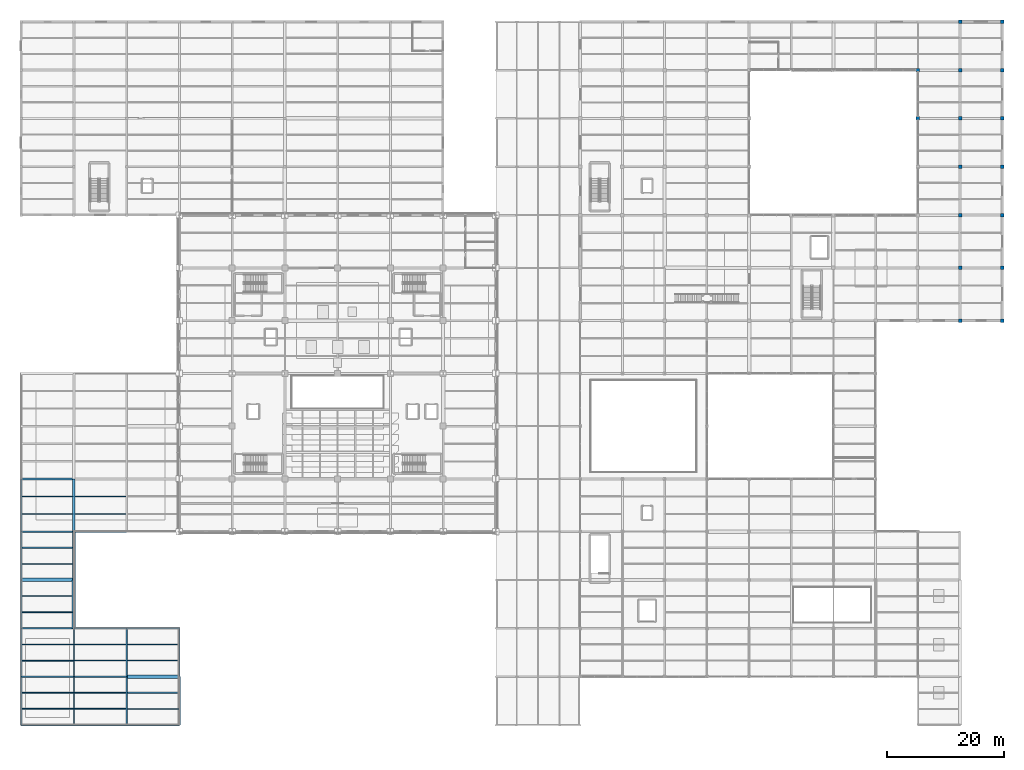
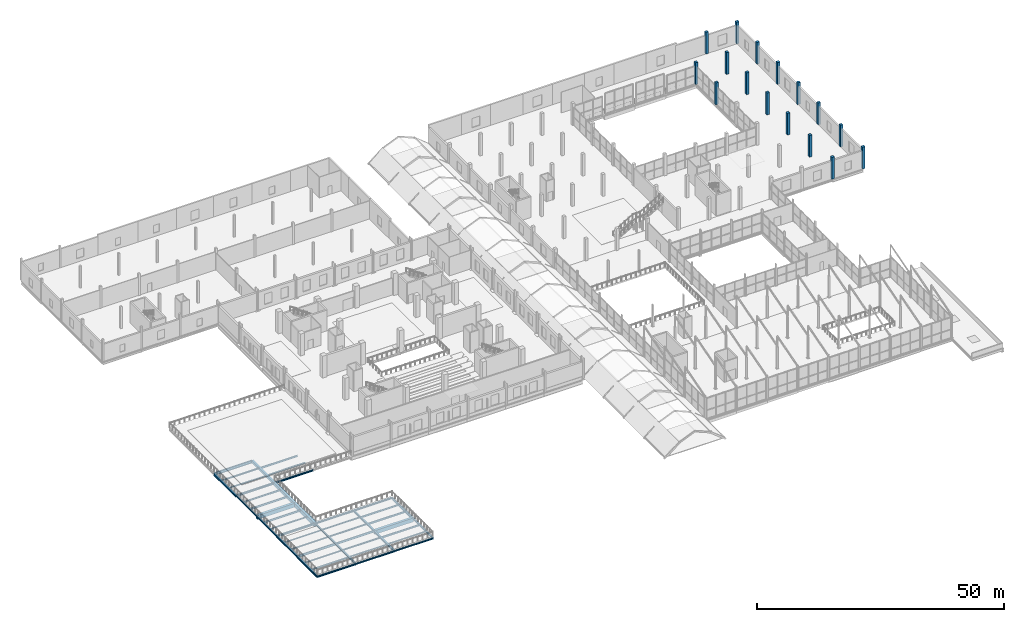
# One storey, part 11 of 141: 47 beams, 16 columns.
"""IFC4 building model written with IfcOpenShell, lengths in metres."""

from ifc_helpers import new_model, si_unit, direction, frame, origin, origin_2d, place, context, subcontext, project, spatial, rectangle, i_section, extrude, material, material_profile, profile_set, type_object, element, save


model = new_model("IFC4")

# Units and contexts
model_context = context("Model", 3, precision=1e-05, world=origin(), true_north=direction((0.0, 1.0)))
body_context = subcontext(model_context, "Body", "Model", "MODEL_VIEW")
ifc_project = project(units=[si_unit("LENGTHUNIT", "METRE"), si_unit("AREAUNIT", "SQUARE_METRE"), si_unit("VOLUMEUNIT", "CUBIC_METRE"), si_unit("PLANEANGLEUNIT", "RADIAN"), si_unit("MASSUNIT", "GRAM", prefix="KILO")], contexts=[model_context])

# Site, building, storey
site_placement = place(None, origin())
site = spatial("IfcSite", under=ifc_project, at=site_placement, CompositionType="ELEMENT")
building_placement = place(site_placement, origin())
building = spatial("IfcBuilding", under=site, at=building_placement, Name="Sundgate Opera House", CompositionType="ELEMENT")
storey_placement = place(building_placement, frame((0.0, 0.0, 11.39990234375)))
storey = spatial("IfcBuildingStorey", under=building, at=storey_placement, Name="L02", CompositionType="ELEMENT", Elevation=11.39990234375)

# Columns
ifc_material_1 = material(Name="Concrete C35/45", Category="concrete")
ifc_material_profile_1 = material_profile(ifc_material_1, rectangle(XDim=0.60009765625, YDim=0.60009765625, at=origin_2d()), Name="RC 600x600")
ifc_profile_set_1 = profile_set([ifc_material_profile_1], Name="Concrete C35/45")
column_type = type_object("IfcColumnType", Name="CL-RC-600", PredefinedType="COLUMN", material=ifc_profile_set_1)
for number, where, z_axis, x_axis, name in (
    (1, (153.0, 103.5, 0.0), (0.0, 0.0, 1.0), (1.0, 0.0, 0.0), "L02 Column C1141"),
    (2, (153.0, 111.75, 0.0), (0.0, 0.0, 1.0), (1.0, 0.0, 0.0), "L02 Column C1145"),
    (3, (160.199951171875, 69.0, 0.0), (0.0, 0.0, 1.0), (1.0, 0.0, 0.0), "L02 Column C1167"),
    (4, (160.199951171875, 78.0, 0.0), (0.0, 0.0, 1.0), (1.0, 0.0, 0.0), "L02 Column C1171"),
    (5, (160.199951171875, 87.0, 0.0), (0.0, 0.0, 1.0), (1.0, 0.0, 0.0), "L02 Column C1175"),
    (6, (160.199951171875, 95.25, 0.0), (0.0, 0.0, 1.0), (1.0, 0.0, 0.0), "L02 Column C1179"),
    (7, (160.199951171875, 103.5, 0.0), (0.0, 0.0, 1.0), (1.0, 0.0, 0.0), "L02 Column C1183"),
    (8, (160.199951171875, 111.75, 0.0), (0.0, 0.0, 1.0), (1.0, 0.0, 0.0), "L02 Column C1187"),
    (9, (160.199951171875, 120.0, 0.0), (0.0, 0.0, 1.0), (1.0, 0.0, 0.0), "L02 Column C1191"),
    (10, (167.39990234375, 69.0, 0.0), (0.0, 0.0, 1.0), (1.0, 0.0, 0.0), "L02 Column C1200"),
    (11, (167.39990234375, 78.0, 0.0), (0.0, 0.0, 1.0), (1.0, 0.0, 0.0), "L02 Column C1204"),
    (12, (167.39990234375, 87.0, 0.0), (0.0, 0.0, 1.0), (1.0, 0.0, 0.0), "L02 Column C1208"),
    (13, (167.39990234375, 95.25, 0.0), (0.0, 0.0, 1.0), (1.0, 0.0, 0.0), "L02 Column C1212"),
    (14, (167.39990234375, 103.5, 0.0), (0.0, 0.0, 1.0), (1.0, 0.0, 0.0), "L02 Column C1216"),
    (15, (167.39990234375, 111.75, 0.0), (0.0, 0.0, 1.0), (1.0, 0.0, 0.0), "L02 Column C1220"),
    (16, (167.39990234375, 120.0, 0.0), (0.0, 0.0, 1.0), (1.0, 0.0, 0.0), "L02 Column C1224"),
):
    element("IfcColumn", number, at=place(storey_placement, frame(where, z_axis=z_axis, x_axis=x_axis)), inside=storey, type_object=column_type, Name=name, PredefinedType="COLUMN", context=body_context, shape_type="SweptSolid", body=[
        extrude(rectangle(XDim=0.60009765625, YDim=0.60009765625, at=origin_2d()), origin(), (0.0, 0.0, 1.0), 5.400146484375),
    ])

# Beams
ifc_material_2 = material(Name="Steel S355J2", Category="steel")
ifc_material_profile_2 = material_profile(ifc_material_2, i_section(OverallWidth=0.300048828125, OverallDepth=0.330078125, WebThickness=0.009521484375, FlangeThickness=0.0166015625, at=origin_2d()), Name="HEA 340")
ifc_profile_set_2 = profile_set([ifc_material_profile_2], Name="Steel S355J2")
beam_type_1 = type_object("IfcBeamType", Name="BM-GR-HEA340", PredefinedType="BEAM", material=ifc_profile_set_2)
beam_1_placement = place(storey_placement, frame((27.0, 0.0, -0.494873046875), z_axis=(0.0, 1.0, 0.0), x_axis=(-1.0, 0.0, 0.0)))
element("IfcBeam", 17, at=beam_1_placement, inside=storey, type_object=beam_type_1, Name="L02 Primary N-S Girder B1811", PredefinedType="BEAM", context=body_context, shape_type="SweptSolid", body=[
    extrude(i_section(OverallWidth=0.300048828125, OverallDepth=0.330078125, WebThickness=0.009521484375, FlangeThickness=0.0166015625, at=origin_2d()), origin(), (0.0, 0.0, 1.0), 8.25),
])
beam_2_placement = place(storey_placement, frame((18.0, 0.0, -0.494873046875), z_axis=(1.0, 0.0, 0.0), x_axis=(0.0, 1.0, 0.0)))
element("IfcBeam", 18, at=beam_2_placement, inside=storey, type_object=beam_type_1, Name="L02 Primary E-W Girder B1958", PredefinedType="BEAM", context=body_context, shape_type="SweptSolid", body=[
    extrude(i_section(OverallWidth=0.300048828125, OverallDepth=0.330078125, WebThickness=0.009521484375, FlangeThickness=0.0166015625, at=origin_2d()), origin(), (0.0, 0.0, 1.0), 9.0),
])
ifc_material_3 = material(Name="Steel S355J2", Category="steel")
ifc_material_profile_3 = material_profile(ifc_material_3, i_section(OverallWidth=0.300048828125, OverallDepth=0.35009765625, WebThickness=0.010009765625, FlangeThickness=0.017578125, at=origin_2d()), Name="HEA 360")
ifc_profile_set_3 = profile_set([ifc_material_profile_3], Name="Steel S355J2")
beam_type_2 = type_object("IfcBeamType", Name="BM-GR-HEA360", PredefinedType="BEAM", material=ifc_profile_set_3)
beam_3_placement = place(storey_placement, frame((9.0, 0.0, -0.5048828125), z_axis=(1.0, 0.0, 0.0), x_axis=(0.0, 1.0, 0.0)))
element("IfcBeam", 19, at=beam_3_placement, inside=storey, type_object=beam_type_2, Name="L02 Primary E-W Girder B1957", PredefinedType="BEAM", context=body_context, shape_type="SweptSolid", body=[
    extrude(i_section(OverallWidth=0.300048828125, OverallDepth=0.35009765625, WebThickness=0.010009765625, FlangeThickness=0.017578125, at=origin_2d()), origin(), (0.0, 0.0, 1.0), 9.0),
])
ifc_material_4 = material(Name="Steel S355J2", Category="steel")
ifc_material_profile_4 = material_profile(ifc_material_4, i_section(OverallWidth=0.300048828125, OverallDepth=0.389892578125, WebThickness=0.010986328125, FlangeThickness=0.01904296875, at=origin_2d()), Name="HEA 400")
ifc_profile_set_4 = profile_set([ifc_material_profile_4], Name="Steel S355J2")
beam_type_3 = type_object("IfcBeamType", Name="BM-GR-HEA400", PredefinedType="BEAM", material=ifc_profile_set_4)
beam_4_placement = place(storey_placement, frame((0.0, 0.0, -0.52490234375), z_axis=(1.0, 0.0, 0.0), x_axis=(0.0, 1.0, 0.0)))
element("IfcBeam", 20, at=beam_4_placement, inside=storey, type_object=beam_type_3, Name="L02 Primary E-W Girder B1956", PredefinedType="BEAM", context=body_context, shape_type="SweptSolid", body=[
    extrude(i_section(OverallWidth=0.300048828125, OverallDepth=0.389892578125, WebThickness=0.010986328125, FlangeThickness=0.01904296875, at=origin_2d()), origin(), (0.0, 0.0, 1.0), 9.0),
])
ifc_material_5 = material(Name="Steel S355J2", Category="steel")
ifc_material_profile_5 = material_profile(ifc_material_5, i_section(OverallWidth=0.300048828125, OverallDepth=0.590087890625, WebThickness=0.012939453125, FlangeThickness=0.02490234375, at=origin_2d()), Name="HEA 600")
ifc_profile_set_5 = profile_set([ifc_material_profile_5], Name="Steel S355J2")
beam_type_4 = type_object("IfcBeamType", Name="BM-GR-HEA600", PredefinedType="BEAM", material=ifc_profile_set_5)
beam_5_placement = place(storey_placement, frame((0.0, 33.0, -0.625), z_axis=(0.0, 1.0, 0.0), x_axis=(-1.0, 0.0, 0.0)))
element("IfcBeam", 21, at=beam_5_placement, inside=storey, type_object=beam_type_4, Name="L02 Primary N-S Girder B1784", PredefinedType="BEAM", context=body_context, shape_type="SweptSolid", body=[
    extrude(i_section(OverallWidth=0.300048828125, OverallDepth=0.590087890625, WebThickness=0.012939453125, FlangeThickness=0.02490234375, at=origin_2d()), origin(), (0.0, 0.0, 1.0), 9.0),
])
ifc_material_6 = material(Name="Steel S355J2", Category="steel")
ifc_material_profile_6 = material_profile(ifc_material_6, i_section(OverallWidth=0.300048828125, OverallDepth=0.360107421875, WebThickness=0.012451171875, FlangeThickness=0.0224609375, at=origin_2d()), Name="HEB 360")
ifc_profile_set_6 = profile_set([ifc_material_profile_6], Name="Steel S355J2")
beam_type_5 = type_object("IfcBeamType", Name="BM-GR-HEB360", PredefinedType="BEAM", material=ifc_profile_set_6)
beam_6_placement = place(storey_placement, frame((0.0, 24.75, -0.510009765625), z_axis=(0.0, 1.0, 0.0), x_axis=(-1.0, 0.0, 0.0)))
element("IfcBeam", 22, at=beam_6_placement, inside=storey, type_object=beam_type_5, Name="L02 Primary N-S Girder B1783", PredefinedType="BEAM", context=body_context, shape_type="SweptSolid", body=[
    extrude(i_section(OverallWidth=0.300048828125, OverallDepth=0.360107421875, WebThickness=0.012451171875, FlangeThickness=0.0224609375, at=origin_2d()), origin(), (0.0, 0.0, 1.0), 8.25),
])
beam_7_placement = place(storey_placement, frame((18.0, 16.5, -0.510009765625), z_axis=(1.0, 0.0, 0.0), x_axis=(0.0, 1.0, 0.0)))
element("IfcBeam", 23, at=beam_7_placement, inside=storey, type_object=beam_type_5, Name="L02 Primary E-W Girder B1974", PredefinedType="BEAM", context=body_context, shape_type="SweptSolid", body=[
    extrude(i_section(OverallWidth=0.300048828125, OverallDepth=0.360107421875, WebThickness=0.012451171875, FlangeThickness=0.0224609375, at=origin_2d()), origin(), (0.0, 0.0, 1.0), 9.0),
])
ifc_material_7 = material(Name="Steel S355J2", Category="steel")
ifc_material_profile_7 = material_profile(ifc_material_7, i_section(OverallWidth=0.300048828125, OverallDepth=0.39990234375, WebThickness=0.013427734375, FlangeThickness=0.02392578125, at=origin_2d()), Name="HEB 400")
ifc_profile_set_7 = profile_set([ifc_material_profile_7], Name="Steel S355J2")
beam_type_6 = type_object("IfcBeamType", Name="BM-GR-HEB400", PredefinedType="BEAM", material=ifc_profile_set_7)
beam_8_placement = place(storey_placement, frame((0.0, 16.5, -0.52978515625), z_axis=(0.0, 1.0, 0.0), x_axis=(-1.0, 0.0, 0.0)))
element("IfcBeam", 24, at=beam_8_placement, inside=storey, type_object=beam_type_6, Name="L02 Primary N-S Girder B1782", PredefinedType="BEAM", context=body_context, shape_type="SweptSolid", body=[
    extrude(i_section(OverallWidth=0.300048828125, OverallDepth=0.39990234375, WebThickness=0.013427734375, FlangeThickness=0.02392578125, at=origin_2d()), origin(), (0.0, 0.0, 1.0), 8.25),
])
for number, where, z_axis, x_axis, name in (
    (25, (9.0, 16.5, -0.52978515625), (1.0, 0.0, 0.0), (0.0, 1.0, 0.0), "L02 Primary E-W Girder B1973"),
    (26, (9.0, 33.0, -0.52978515625), (1.0, 0.0, 0.0), (0.0, 1.0, 0.0), "L02 Primary E-W Girder B1995"),
):
    element("IfcBeam", number, at=place(storey_placement, frame(where, z_axis=z_axis, x_axis=x_axis)), inside=storey, type_object=beam_type_6, Name=name, PredefinedType="BEAM", context=body_context, shape_type="SweptSolid", body=[
        extrude(i_section(OverallWidth=0.300048828125, OverallDepth=0.39990234375, WebThickness=0.013427734375, FlangeThickness=0.02392578125, at=origin_2d()), origin(), (0.0, 0.0, 1.0), 9.0),
    ])
ifc_material_8 = material(Name="Steel S355J2", Category="steel")
ifc_material_profile_8 = material_profile(ifc_material_8, i_section(OverallWidth=0.300048828125, OverallDepth=0.449951171875, WebThickness=0.013916015625, FlangeThickness=0.02587890625, at=origin_2d()), Name="HEB 450")
ifc_profile_set_8 = profile_set([ifc_material_profile_8], Name="Steel S355J2")
beam_type_7 = type_object("IfcBeamType", Name="BM-GR-HEB450", PredefinedType="BEAM", material=ifc_profile_set_8)
for number, where, z_axis, x_axis, name in (
    (27, (0.0, 8.25, -0.554931640625), (0.0, 1.0, 0.0), (-1.0, 0.0, 0.0), "L02 Primary N-S Girder B1781"),
    (28, (18.0, 8.25, -0.554931640625), (0.0, 1.0, 0.0), (-1.0, 0.0, 0.0), "L02 Primary N-S Girder B1803"),
):
    element("IfcBeam", number, at=place(storey_placement, frame(where, z_axis=z_axis, x_axis=x_axis)), inside=storey, type_object=beam_type_7, Name=name, PredefinedType="BEAM", context=body_context, shape_type="SweptSolid", body=[
        extrude(i_section(OverallWidth=0.300048828125, OverallDepth=0.449951171875, WebThickness=0.013916015625, FlangeThickness=0.02587890625, at=origin_2d()), origin(), (0.0, 0.0, 1.0), 8.25),
    ])
for number, where, z_axis, x_axis, name in (
    (29, (0.0, 16.5, -0.554931640625), (1.0, 0.0, 0.0), (0.0, 1.0, 0.0), "L02 Primary E-W Girder B1972"),
    (30, (0.0, 33.0, -0.554931640625), (1.0, 0.0, 0.0), (0.0, 1.0, 0.0), "L02 Primary E-W Girder B1994"),
):
    element("IfcBeam", number, at=place(storey_placement, frame(where, z_axis=z_axis, x_axis=x_axis)), inside=storey, type_object=beam_type_7, Name=name, PredefinedType="BEAM", context=body_context, shape_type="SweptSolid", body=[
        extrude(i_section(OverallWidth=0.300048828125, OverallDepth=0.449951171875, WebThickness=0.013916015625, FlangeThickness=0.02587890625, at=origin_2d()), origin(), (0.0, 0.0, 1.0), 9.0),
    ])
ifc_material_9 = material(Name="Steel S355J2", Category="steel")
ifc_material_profile_9 = material_profile(ifc_material_9, i_section(OverallWidth=0.300048828125, OverallDepth=0.5, WebThickness=0.014404296875, FlangeThickness=0.028076171875, at=origin_2d()), Name="HEB 500")
ifc_profile_set_9 = profile_set([ifc_material_profile_9], Name="Steel S355J2")
beam_type_8 = type_object("IfcBeamType", Name="BM-GR-HEB500", PredefinedType="BEAM", material=ifc_profile_set_9)
for number, where, z_axis, x_axis, name in (
    (31, (0.0, 0.0, -0.579833984375), (0.0, 1.0, 0.0), (-1.0, 0.0, 0.0), "L02 Primary N-S Girder B1780"),
    (32, (18.0, 0.0, -0.579833984375), (0.0, 1.0, 0.0), (-1.0, 0.0, 0.0), "L02 Primary N-S Girder B1802"),
):
    element("IfcBeam", number, at=place(storey_placement, frame(where, z_axis=z_axis, x_axis=x_axis)), inside=storey, type_object=beam_type_8, Name=name, PredefinedType="BEAM", context=body_context, shape_type="SweptSolid", body=[
        extrude(i_section(OverallWidth=0.300048828125, OverallDepth=0.5, WebThickness=0.014404296875, FlangeThickness=0.028076171875, at=origin_2d()), origin(), (0.0, 0.0, 1.0), 8.25),
    ])
ifc_material_10 = material(Name="Steel S355J2", Category="steel")
ifc_material_profile_10 = material_profile(ifc_material_10, i_section(OverallWidth=0.300048828125, OverallDepth=0.64990234375, WebThickness=0.01611328125, FlangeThickness=0.031005859375, at=origin_2d()), Name="HEB 650")
ifc_profile_set_10 = profile_set([ifc_material_profile_10], Name="Steel S355J2")
beam_type_9 = type_object("IfcBeamType", Name="BM-GR-HEB650", PredefinedType="BEAM", material=ifc_profile_set_10)
beam_9_placement = place(storey_placement, frame((0.0, 42.0, -0.65478515625), z_axis=(1.0, 0.0, 0.0), x_axis=(0.0, 1.0, 0.0)))
element("IfcBeam", 33, at=beam_9_placement, inside=storey, type_object=beam_type_9, Name="L02 Primary E-W Girder B2006", PredefinedType="BEAM", context=body_context, shape_type="SweptSolid", body=[
    extrude(i_section(OverallWidth=0.300048828125, OverallDepth=0.64990234375, WebThickness=0.01611328125, FlangeThickness=0.031005859375, at=origin_2d()), origin(), (0.0, 0.0, 1.0), 9.0),
])
ifc_material_11 = material(Name="Steel S355J2", Category="steel")
ifc_material_profile_11 = material_profile(ifc_material_11, i_section(OverallWidth=0.199951171875, OverallDepth=0.5, WebThickness=0.01025390625, FlangeThickness=0.01611328125, at=origin_2d()), Name="IPE 500")
ifc_profile_set_11 = profile_set([ifc_material_profile_11], Name="Steel S355J2")
beam_type_10 = type_object("IfcBeamType", Name="BM-GR-IPE500", PredefinedType="BEAM", material=ifc_profile_set_11)
beam_10_placement = place(storey_placement, frame((9.0, 8.25, -0.579833984375), z_axis=(0.0, 1.0, 0.0), x_axis=(-1.0, 0.0, 0.0)))
element("IfcBeam", 34, at=beam_10_placement, inside=storey, type_object=beam_type_10, Name="L02 Primary N-S Girder B1792", PredefinedType="BEAM", context=body_context, shape_type="SweptSolid", body=[
    extrude(i_section(OverallWidth=0.199951171875, OverallDepth=0.5, WebThickness=0.01025390625, FlangeThickness=0.01611328125, at=origin_2d()), origin(), (0.0, 0.0, 1.0), 8.25),
])
beam_11_placement = place(storey_placement, frame((9.0, 8.25, -0.579833984375), z_axis=(1.0, 0.0, 0.0), x_axis=(0.0, 1.0, 0.0)))
element("IfcBeam", 35, at=beam_11_placement, inside=storey, type_object=beam_type_10, Name="L02 Primary E-W Girder B1961", PredefinedType="BEAM", context=body_context, shape_type="SweptSolid", body=[
    extrude(i_section(OverallWidth=0.199951171875, OverallDepth=0.5, WebThickness=0.01025390625, FlangeThickness=0.01611328125, at=origin_2d()), origin(), (0.0, 0.0, 1.0), 9.0),
])
ifc_material_12 = material(Name="Steel S355J2", Category="steel")
ifc_material_profile_12 = material_profile(ifc_material_12, i_section(OverallWidth=0.2099609375, OverallDepth=0.550048828125, WebThickness=0.010986328125, FlangeThickness=0.01708984375, at=origin_2d()), Name="IPE 550")
ifc_profile_set_12 = profile_set([ifc_material_profile_12], Name="Steel S355J2")
beam_type_11 = type_object("IfcBeamType", Name="BM-GR-IPE550", PredefinedType="BEAM", material=ifc_profile_set_12)
beam_12_placement = place(storey_placement, frame((9.0, 0.0, -0.60498046875), z_axis=(0.0, 1.0, 0.0), x_axis=(-1.0, 0.0, 0.0)))
element("IfcBeam", 36, at=beam_12_placement, inside=storey, type_object=beam_type_11, Name="L02 Primary N-S Girder B1791", PredefinedType="BEAM", context=body_context, shape_type="SweptSolid", body=[
    extrude(i_section(OverallWidth=0.2099609375, OverallDepth=0.550048828125, WebThickness=0.010986328125, FlangeThickness=0.01708984375, at=origin_2d()), origin(), (0.0, 0.0, 1.0), 8.25),
])
beam_13_placement = place(storey_placement, frame((0.0, 8.25, -0.60498046875), z_axis=(1.0, 0.0, 0.0), x_axis=(0.0, 1.0, 0.0)))
element("IfcBeam", 37, at=beam_13_placement, inside=storey, type_object=beam_type_11, Name="L02 Primary E-W Girder B1960", PredefinedType="BEAM", context=body_context, shape_type="SweptSolid", body=[
    extrude(i_section(OverallWidth=0.2099609375, OverallDepth=0.550048828125, WebThickness=0.010986328125, FlangeThickness=0.01708984375, at=origin_2d()), origin(), (0.0, 0.0, 1.0), 9.0),
])
ifc_material_13 = material(Name="Steel S355J2", Category="steel")
ifc_material_profile_13 = material_profile(ifc_material_13, i_section(OverallWidth=0.219970703125, OverallDepth=0.60009765625, WebThickness=0.011962890625, FlangeThickness=0.01904296875, at=origin_2d()), Name="IPE 600")
ifc_profile_set_13 = profile_set([ifc_material_profile_13], Name="Steel S355J2")
beam_type_12 = type_object("IfcBeamType", Name="BM-GR-IPE600", PredefinedType="BEAM", material=ifc_profile_set_13)
beam_14_placement = place(storey_placement, frame((27.0, 8.25, -0.6298828125), z_axis=(0.0, 1.0, 0.0), x_axis=(-1.0, 0.0, 0.0)))
element("IfcBeam", 38, at=beam_14_placement, inside=storey, type_object=beam_type_12, Name="L02 Primary N-S Girder B1812", PredefinedType="BEAM", context=body_context, shape_type="SweptSolid", body=[
    extrude(i_section(OverallWidth=0.219970703125, OverallDepth=0.60009765625, WebThickness=0.011962890625, FlangeThickness=0.01904296875, at=origin_2d()), origin(), (0.0, 0.0, 1.0), 8.25),
])
ifc_material_14 = material(Name="Steel S355J2", Category="steel")
ifc_material_profile_14 = material_profile(ifc_material_14, i_section(OverallWidth=0.1201171875, OverallDepth=0.239990234375, WebThickness=0.006103515625, FlangeThickness=0.009765625, at=origin_2d()), Name="IPE 240")
ifc_profile_set_14 = profile_set([ifc_material_profile_14], Name="Steel S355J2")
beam_type_13 = type_object("IfcBeamType", Name="BM-JS-IPE240", PredefinedType="JOIST", material=ifc_profile_set_14)
beam_15_placement = place(storey_placement, frame((18.14990234375, 2.75, -0.449951171875), z_axis=(1.0, 0.0, 0.0), x_axis=(0.0, 1.0, 0.0)))
element("IfcBeam", 39, at=beam_15_placement, inside=storey, type_object=beam_type_13, Name="L02 Secondary Floor Joist B2135", PredefinedType="JOIST", context=body_context, shape_type="SweptSolid", body=[
    extrude(i_section(OverallWidth=0.1201171875, OverallDepth=0.239990234375, WebThickness=0.006103515625, FlangeThickness=0.009765625, at=origin_2d()), origin(), (0.0, 0.0, 1.0), 8.7001953125),
])
beam_16_placement = place(storey_placement, frame((9.10009765625, 13.75, -0.449951171875), z_axis=(1.0, 0.0, 0.0), x_axis=(0.0, 1.0, 0.0)))
element("IfcBeam", 40, at=beam_16_placement, inside=storey, type_object=beam_type_13, Name="L02 Secondary Floor Joist B2142", PredefinedType="JOIST", context=body_context, shape_type="SweptSolid", body=[
    extrude(i_section(OverallWidth=0.1201171875, OverallDepth=0.239990234375, WebThickness=0.006103515625, FlangeThickness=0.009765625, at=origin_2d()), origin(), (0.0, 0.0, 1.0), 8.75),
])
beam_17_placement = place(storey_placement, frame((0.14990234375, 19.25, -0.449951171875), z_axis=(1.0, 0.0, 0.0), x_axis=(0.0, 1.0, 0.0)))
element("IfcBeam", 41, at=beam_17_placement, inside=storey, type_object=beam_type_13, Name="L02 Secondary Floor Joist B2163", PredefinedType="JOIST", context=body_context, shape_type="SweptSolid", body=[
    extrude(i_section(OverallWidth=0.1201171875, OverallDepth=0.239990234375, WebThickness=0.006103515625, FlangeThickness=0.009765625, at=origin_2d()), origin(), (0.0, 0.0, 1.0), 8.550048828125),
])
beam_18_placement = place(storey_placement, frame((9.22509765625, 36.0, -0.449951171875), z_axis=(1.0, 0.0, 0.0), x_axis=(0.0, 1.0, 0.0)))
element("IfcBeam", 42, at=beam_18_placement, inside=storey, type_object=beam_type_13, Name="L02 Secondary Floor Joist B2198", PredefinedType="JOIST", context=body_context, shape_type="SweptSolid", body=[
    extrude(i_section(OverallWidth=0.1201171875, OverallDepth=0.239990234375, WebThickness=0.006103515625, FlangeThickness=0.009765625, at=origin_2d()), origin(), (0.0, 0.0, 1.0), 8.625),
])
ifc_material_15 = material(Name="Steel S355J2", Category="steel")
ifc_material_profile_15 = material_profile(ifc_material_15, i_section(OverallWidth=0.135009765625, OverallDepth=0.27001953125, WebThickness=0.006591796875, FlangeThickness=0.01025390625, at=origin_2d()), Name="IPE 270")
ifc_profile_set_15 = profile_set([ifc_material_profile_15], Name="Steel S355J2")
beam_type_14 = type_object("IfcBeamType", Name="BM-JS-IPE270", PredefinedType="JOIST", material=ifc_profile_set_15)
beam_19_placement = place(storey_placement, frame((9.10498046875, 5.5, -0.46484375), z_axis=(1.0, 0.0, 0.0), x_axis=(0.0, 1.0, 0.0)))
element("IfcBeam", 43, at=beam_19_placement, inside=storey, type_object=beam_type_14, Name="L02 Secondary Floor Joist B2134", PredefinedType="JOIST", context=body_context, shape_type="SweptSolid", body=[
    extrude(i_section(OverallWidth=0.135009765625, OverallDepth=0.27001953125, WebThickness=0.006591796875, FlangeThickness=0.01025390625, at=origin_2d()), origin(), (0.0, 0.0, 1.0), 8.7451171875),
])
beam_20_placement = place(storey_placement, frame((9.10009765625, 11.0, -0.46484375), z_axis=(1.0, 0.0, 0.0), x_axis=(0.0, 1.0, 0.0)))
element("IfcBeam", 44, at=beam_20_placement, inside=storey, type_object=beam_type_14, Name="L02 Secondary Floor Joist B2141", PredefinedType="JOIST", context=body_context, shape_type="SweptSolid", body=[
    extrude(i_section(OverallWidth=0.135009765625, OverallDepth=0.27001953125, WebThickness=0.006591796875, FlangeThickness=0.01025390625, at=origin_2d()), origin(), (0.0, 0.0, 1.0), 8.75),
])
beam_21_placement = place(storey_placement, frame((0.14990234375, 39.0, -0.46484375), z_axis=(1.0, 0.0, 0.0), x_axis=(0.0, 1.0, 0.0)))
element("IfcBeam", 45, at=beam_21_placement, inside=storey, type_object=beam_type_14, Name="L02 Secondary Floor Joist B2197", PredefinedType="JOIST", context=body_context, shape_type="SweptSolid", body=[
    extrude(i_section(OverallWidth=0.135009765625, OverallDepth=0.27001953125, WebThickness=0.006591796875, FlangeThickness=0.01025390625, at=origin_2d()), origin(), (0.0, 0.0, 1.0), 8.625),
])
ifc_material_16 = material(Name="Steel S355J2", Category="steel")
ifc_material_profile_16 = material_profile(ifc_material_16, i_section(OverallWidth=0.14990234375, OverallDepth=0.300048828125, WebThickness=0.007080078125, FlangeThickness=0.0107421875, at=origin_2d()), Name="IPE 300")
ifc_profile_set_16 = profile_set([ifc_material_profile_16], Name="Steel S355J2")
beam_type_15 = type_object("IfcBeamType", Name="BM-JS-IPE300", PredefinedType="JOIST", material=ifc_profile_set_16)
beam_22_placement = place(storey_placement, frame((9.10498046875, 2.75, -0.47998046875), z_axis=(1.0, 0.0, 0.0), x_axis=(0.0, 1.0, 0.0)))
element("IfcBeam", 46, at=beam_22_placement, inside=storey, type_object=beam_type_15, Name="L02 Secondary Floor Joist B2133", PredefinedType="JOIST", context=body_context, shape_type="SweptSolid", body=[
    extrude(i_section(OverallWidth=0.14990234375, OverallDepth=0.300048828125, WebThickness=0.007080078125, FlangeThickness=0.0107421875, at=origin_2d()), origin(), (0.0, 0.0, 1.0), 8.7451171875),
])
beam_23_placement = place(storey_placement, frame((0.14990234375, 13.75, -0.47998046875), z_axis=(1.0, 0.0, 0.0), x_axis=(0.0, 1.0, 0.0)))
element("IfcBeam", 47, at=beam_23_placement, inside=storey, type_object=beam_type_15, Name="L02 Secondary Floor Joist B2140", PredefinedType="JOIST", context=body_context, shape_type="SweptSolid", body=[
    extrude(i_section(OverallWidth=0.14990234375, OverallDepth=0.300048828125, WebThickness=0.007080078125, FlangeThickness=0.0107421875, at=origin_2d()), origin(), (0.0, 0.0, 1.0), 8.75),
])
beam_24_placement = place(storey_placement, frame((0.14990234375, 36.0, -0.47998046875), z_axis=(1.0, 0.0, 0.0), x_axis=(0.0, 1.0, 0.0)))
element("IfcBeam", 48, at=beam_24_placement, inside=storey, type_object=beam_type_15, Name="L02 Secondary Floor Joist B2196", PredefinedType="JOIST", context=body_context, shape_type="SweptSolid", body=[
    extrude(i_section(OverallWidth=0.14990234375, OverallDepth=0.300048828125, WebThickness=0.007080078125, FlangeThickness=0.0107421875, at=origin_2d()), origin(), (0.0, 0.0, 1.0), 8.625),
])
ifc_material_17 = material(Name="Steel S355J2", Category="steel")
ifc_material_profile_17 = material_profile(ifc_material_17, i_section(OverallWidth=0.159912109375, OverallDepth=0.330078125, WebThickness=0.007568359375, FlangeThickness=0.011474609375, at=origin_2d()), Name="IPE 330")
ifc_profile_set_17 = profile_set([ifc_material_profile_17], Name="Steel S355J2")
beam_type_16 = type_object("IfcBeamType", Name="BM-JS-IPE330", PredefinedType="JOIST", material=ifc_profile_set_17)
beam_25_placement = place(storey_placement, frame((0.14990234375, 5.5, -0.494873046875), z_axis=(1.0, 0.0, 0.0), x_axis=(0.0, 1.0, 0.0)))
element("IfcBeam", 49, at=beam_25_placement, inside=storey, type_object=beam_type_16, Name="L02 Secondary Floor Joist B2132", PredefinedType="JOIST", context=body_context, shape_type="SweptSolid", body=[
    extrude(i_section(OverallWidth=0.159912109375, OverallDepth=0.330078125, WebThickness=0.007568359375, FlangeThickness=0.011474609375, at=origin_2d()), origin(), (0.0, 0.0, 1.0), 8.7451171875),
])
beam_26_placement = place(storey_placement, frame((0.14990234375, 11.0, -0.494873046875), z_axis=(1.0, 0.0, 0.0), x_axis=(0.0, 1.0, 0.0)))
element("IfcBeam", 50, at=beam_26_placement, inside=storey, type_object=beam_type_16, Name="L02 Secondary Floor Joist B2139", PredefinedType="JOIST", context=body_context, shape_type="SweptSolid", body=[
    extrude(i_section(OverallWidth=0.159912109375, OverallDepth=0.330078125, WebThickness=0.007568359375, FlangeThickness=0.011474609375, at=origin_2d()), origin(), (0.0, 0.0, 1.0), 8.75),
])
ifc_material_18 = material(Name="Steel S355J2", Category="steel")
ifc_material_profile_18 = material_profile(ifc_material_18, i_section(OverallWidth=0.169921875, OverallDepth=0.360107421875, WebThickness=0.008056640625, FlangeThickness=0.0126953125, at=origin_2d()), Name="IPE 360")
ifc_profile_set_18 = profile_set([ifc_material_profile_18], Name="Steel S355J2")
beam_type_17 = type_object("IfcBeamType", Name="BM-JS-IPE360", PredefinedType="JOIST", material=ifc_profile_set_18)
beam_27_placement = place(storey_placement, frame((0.14990234375, 2.75, -0.510009765625), z_axis=(1.0, 0.0, 0.0), x_axis=(0.0, 1.0, 0.0)))
element("IfcBeam", 51, at=beam_27_placement, inside=storey, type_object=beam_type_17, Name="L02 Secondary Floor Joist B2131", PredefinedType="JOIST", context=body_context, shape_type="SweptSolid", body=[
    extrude(i_section(OverallWidth=0.169921875, OverallDepth=0.360107421875, WebThickness=0.008056640625, FlangeThickness=0.0126953125, at=origin_2d()), origin(), (0.0, 0.0, 1.0), 8.7451171875),
])
ifc_material_19 = material(Name="Steel S355J2", Category="steel")
ifc_material_profile_19 = material_profile(ifc_material_19, i_section(OverallWidth=0.179931640625, OverallDepth=0.39990234375, WebThickness=0.008544921875, FlangeThickness=0.013427734375, at=origin_2d()), Name="IPE 400")
ifc_profile_set_19 = profile_set([ifc_material_profile_19], Name="Steel S355J2")
beam_type_18 = type_object("IfcBeamType", Name="BM-JS-IPE400", PredefinedType="JOIST", material=ifc_profile_set_19)
beam_28_placement = place(storey_placement, frame((18.14990234375, 13.75, -0.52978515625), z_axis=(1.0, 0.0, 0.0), x_axis=(0.0, 1.0, 0.0)))
element("IfcBeam", 52, at=beam_28_placement, inside=storey, type_object=beam_type_18, Name="L02 Secondary Floor Joist B2144", PredefinedType="JOIST", context=body_context, shape_type="SweptSolid", body=[
    extrude(i_section(OverallWidth=0.179931640625, OverallDepth=0.39990234375, WebThickness=0.008544921875, FlangeThickness=0.013427734375, at=origin_2d()), origin(), (0.0, 0.0, 1.0), 8.739990234375),
])
beam_29_placement = place(storey_placement, frame((0.14990234375, 30.25, -0.52978515625), z_axis=(1.0, 0.0, 0.0), x_axis=(0.0, 1.0, 0.0)))
element("IfcBeam", 53, at=beam_29_placement, inside=storey, type_object=beam_type_18, Name="L02 Secondary Floor Joist B2179", PredefinedType="JOIST", context=body_context, shape_type="SweptSolid", body=[
    extrude(i_section(OverallWidth=0.179931640625, OverallDepth=0.39990234375, WebThickness=0.008544921875, FlangeThickness=0.013427734375, at=origin_2d()), origin(), (0.0, 0.0, 1.0), 8.60009765625),
])
ifc_material_20 = material(Name="Steel S355J2", Category="steel")
ifc_material_profile_20 = material_profile(ifc_material_20, i_section(OverallWidth=0.18994140625, OverallDepth=0.449951171875, WebThickness=0.009521484375, FlangeThickness=0.0146484375, at=origin_2d()), Name="IPE 450")
ifc_profile_set_20 = profile_set([ifc_material_profile_20], Name="Steel S355J2")
beam_type_19 = type_object("IfcBeamType", Name="BM-JS-IPE450", PredefinedType="JOIST", material=ifc_profile_set_20)
beam_30_placement = place(storey_placement, frame((18.14990234375, 5.5, -0.554931640625), z_axis=(1.0, 0.0, 0.0), x_axis=(0.0, 1.0, 0.0)))
element("IfcBeam", 54, at=beam_30_placement, inside=storey, type_object=beam_type_19, Name="L02 Secondary Floor Joist B2136", PredefinedType="JOIST", context=body_context, shape_type="SweptSolid", body=[
    extrude(i_section(OverallWidth=0.18994140625, OverallDepth=0.449951171875, WebThickness=0.009521484375, FlangeThickness=0.0146484375, at=origin_2d()), origin(), (0.0, 0.0, 1.0), 8.7001953125),
])
beam_31_placement = place(storey_placement, frame((18.14990234375, 11.0, -0.554931640625), z_axis=(1.0, 0.0, 0.0), x_axis=(0.0, 1.0, 0.0)))
element("IfcBeam", 55, at=beam_31_placement, inside=storey, type_object=beam_type_19, Name="L02 Secondary Floor Joist B2143", PredefinedType="JOIST", context=body_context, shape_type="SweptSolid", body=[
    extrude(i_section(OverallWidth=0.18994140625, OverallDepth=0.449951171875, WebThickness=0.009521484375, FlangeThickness=0.0146484375, at=origin_2d()), origin(), (0.0, 0.0, 1.0), 8.739990234375),
])
beam_32_placement = place(storey_placement, frame((0.14990234375, 22.0, -0.554931640625), z_axis=(1.0, 0.0, 0.0), x_axis=(0.0, 1.0, 0.0)))
element("IfcBeam", 56, at=beam_32_placement, inside=storey, type_object=beam_type_19, Name="L02 Secondary Floor Joist B2164", PredefinedType="JOIST", context=body_context, shape_type="SweptSolid", body=[
    extrude(i_section(OverallWidth=0.18994140625, OverallDepth=0.449951171875, WebThickness=0.009521484375, FlangeThickness=0.0146484375, at=origin_2d()), origin(), (0.0, 0.0, 1.0), 8.550048828125),
])
beam_33_placement = place(storey_placement, frame((0.14990234375, 27.5, -0.554931640625), z_axis=(1.0, 0.0, 0.0), x_axis=(0.0, 1.0, 0.0)))
element("IfcBeam", 57, at=beam_33_placement, inside=storey, type_object=beam_type_19, Name="L02 Secondary Floor Joist B2178", PredefinedType="JOIST", context=body_context, shape_type="SweptSolid", body=[
    extrude(i_section(OverallWidth=0.18994140625, OverallDepth=0.449951171875, WebThickness=0.009521484375, FlangeThickness=0.0146484375, at=origin_2d()), origin(), (0.0, 0.0, 1.0), 8.60009765625),
])
beam_34_placement = place(storey_placement, frame((9.22509765625, 39.0, -0.554931640625), z_axis=(1.0, 0.0, 0.0), x_axis=(0.0, 1.0, 0.0)))
element("IfcBeam", 58, at=beam_34_placement, inside=storey, type_object=beam_type_19, Name="L02 Secondary Floor Joist B2199", PredefinedType="JOIST", context=body_context, shape_type="SweptSolid", body=[
    extrude(i_section(OverallWidth=0.18994140625, OverallDepth=0.449951171875, WebThickness=0.009521484375, FlangeThickness=0.0146484375, at=origin_2d()), origin(), (0.0, 0.0, 1.0), 8.625),
])
ifc_material_21 = material(Name="Concrete C35/45", Category="concrete")
ifc_material_profile_21 = material_profile(ifc_material_21, rectangle(XDim=0.449951171875, YDim=0.64990234375, at=origin_2d()), Name="RC 450x650")
ifc_profile_set_21 = profile_set([ifc_material_profile_21], Name="Concrete C35/45")
beam_type_20 = type_object("IfcBeamType", Name="BM-RC-450x650", PredefinedType="BEAM", material=ifc_profile_set_21)
beam_35_placement = place(storey_placement, frame((9.0, 33.0, -0.65478515625), z_axis=(0.0, 1.0, 0.0), x_axis=(-1.0, 0.0, 0.0)))
element("IfcBeam", 59, at=beam_35_placement, inside=storey, type_object=beam_type_20, Name="L02 Primary N-S Girder B1795", PredefinedType="BEAM", context=body_context, shape_type="SweptSolid", body=[
    extrude(rectangle(XDim=0.449951171875, YDim=0.64990234375, at=origin_2d()), origin(), (0.0, 0.0, 1.0), 9.0),
])
ifc_material_22 = material(Name="Concrete C40/50", Category="concrete")
ifc_material_profile_22 = material_profile(ifc_material_22, rectangle(XDim=0.5, YDim=0.75, at=origin_2d()), Name="RC 500x750")
ifc_profile_set_22 = profile_set([ifc_material_profile_22], Name="Concrete C40/50")
beam_type_21 = type_object("IfcBeamType", Name="BM-RC-500x750", PredefinedType="BEAM", material=ifc_profile_set_22)
beam_36_placement = place(storey_placement, frame((9.0, 24.75, -0.704833984375), z_axis=(0.0, 1.0, 0.0), x_axis=(-1.0, 0.0, 0.0)))
element("IfcBeam", 60, at=beam_36_placement, inside=storey, type_object=beam_type_21, Name="L02 Primary N-S Girder B1794", PredefinedType="BEAM", context=body_context, shape_type="SweptSolid", body=[
    extrude(rectangle(XDim=0.5, YDim=0.75, at=origin_2d()), origin(), (0.0, 0.0, 1.0), 8.25),
])
ifc_material_23 = material(Name="Concrete C40/50", Category="concrete")
ifc_material_profile_23 = material_profile(ifc_material_23, rectangle(XDim=0.60009765625, YDim=0.949951171875, at=origin_2d()), Name="RC 600x950")
ifc_profile_set_23 = profile_set([ifc_material_profile_23], Name="Concrete C40/50")
beam_type_22 = type_object("IfcBeamType", Name="BM-RC-600x950", PredefinedType="BEAM", material=ifc_profile_set_23)
beam_37_placement = place(storey_placement, frame((9.0, 16.5, -0.804931640625), z_axis=(0.0, 1.0, 0.0), x_axis=(-1.0, 0.0, 0.0)))
element("IfcBeam", 61, at=beam_37_placement, inside=storey, type_object=beam_type_22, Name="L02 Primary N-S Girder B1793", PredefinedType="BEAM", context=body_context, shape_type="SweptSolid", body=[
    extrude(rectangle(XDim=0.60009765625, YDim=0.949951171875, at=origin_2d()), origin(), (0.0, 0.0, 1.0), 8.25),
])
for number, where, z_axis, x_axis, name in (
    (62, (18.0, 8.25, -0.804931640625), (1.0, 0.0, 0.0), (0.0, 1.0, 0.0), "L02 Primary E-W Girder B1962"),
    (63, (0.0, 24.75, -0.804931640625), (1.0, 0.0, 0.0), (0.0, 1.0, 0.0), "L02 Primary E-W Girder B1984"),
):
    element("IfcBeam", number, at=place(storey_placement, frame(where, z_axis=z_axis, x_axis=x_axis)), inside=storey, type_object=beam_type_22, Name=name, PredefinedType="BEAM", context=body_context, shape_type="SweptSolid", body=[
        extrude(rectangle(XDim=0.60009765625, YDim=0.949951171875, at=origin_2d()), origin(), (0.0, 0.0, 1.0), 9.0),
    ])

save(model, "model.ifc")
